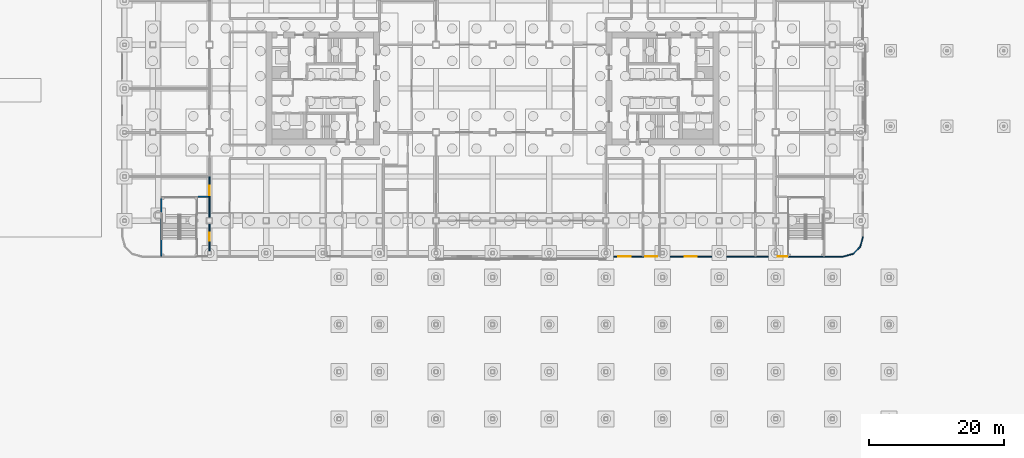
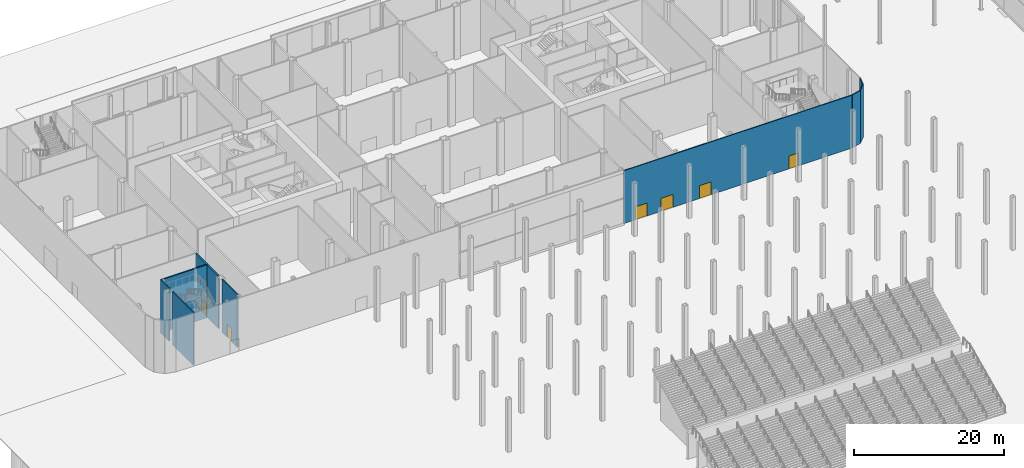
# One storey, part 36 of 113: 10 walls, 6 doors, 6 openings.
"""IFC4 building model written with IfcOpenShell, lengths in metres."""

from ifc_helpers import new_model, si_unit, direction, frame, frame_2d, origin, place, context, subcontext, project, spatial, rectangle, extrude, material, layer, layer_set, type_object, element, fill, save


model = new_model("IFC4")

# Units and contexts
model_context = context("Model", 3, precision=1e-05, world=origin(), true_north=direction((0.0, 1.0)))
body_context = subcontext(model_context, "Body", "Model", "MODEL_VIEW")
ifc_project = project(units=[si_unit("LENGTHUNIT", "METRE"), si_unit("AREAUNIT", "SQUARE_METRE"), si_unit("VOLUMEUNIT", "CUBIC_METRE"), si_unit("PLANEANGLEUNIT", "RADIAN"), si_unit("MASSUNIT", "GRAM", prefix="KILO")], contexts=[model_context])

# Site, building, storey
site_placement = place(None, origin())
site = spatial("IfcSite", under=ifc_project, at=site_placement, CompositionType="ELEMENT")
building_placement = place(site_placement, origin())
building = spatial("IfcBuilding", under=site, at=building_placement, Name="Hakoniwa Tower and Hamabe Station Hall", CompositionType="ELEMENT")
storey_placement = place(building_placement, origin())
storey = spatial("IfcBuildingStorey", under=building, at=storey_placement, Name="L01", CompositionType="ELEMENT", Elevation=0.0)

# Walls
ifc_material_1 = material(Name="Dark glass-faced aluminium panel", Category="aluminium")
ifc_layer_1 = layer(ifc_material_1, 0.14990234375)
ifc_layer_set_1 = layer_set([ifc_layer_1], Name="EXTERNAL WALL 150 EI 60")
wall_type_1 = type_object("IfcWallType", Name="EXTERNAL WALL 150 EI 60", PredefinedType="STANDARD", material=ifc_layer_set_1)
wall_1_placement = place(storey_placement, frame((54.92236328125, -21.999755859375, 0.0), z_axis=(0.0, 0.0, 1.0), x_axis=(-0.258741535379, -0.965946591624, 0.0)))
element("IfcWall", 1, at=wall_1_placement, inside=storey, type_object=wall_type_1, Name="External wall L01 1-1", PredefinedType="STANDARD", context=body_context, shape_type="SweptSolid", body=[
    extrude(rectangle(XDim=1.49267578125, YDim=0.14990234375, at=frame_2d((0.746337890625, 0.0))), origin(), (0.0, 0.0, 1.0), 8.60009765625),
])
wall_2_placement = place(storey_placement, frame((54.5166015625, -23.475341796875, 0.0), z_axis=(0.0, 0.0, 1.0), x_axis=(-0.707106781187, -0.707106781187, 0.0)))
element("IfcWall", 2, at=wall_2_placement, inside=storey, type_object=wall_type_1, Name="External wall L01 2-1", PredefinedType="STANDARD", context=body_context, shape_type="SweptSolid", body=[
    extrude(rectangle(XDim=1.47265625, YDim=0.14990234375, at=frame_2d((0.736328125, 0.0))), origin(), (0.0, 0.0, 1.0), 8.60009765625),
])
wall_3_placement = place(storey_placement, frame((53.441650390625, -24.5361328125, 0.0), z_axis=(0.0, 0.0, 1.0), x_axis=(-0.965946591624, -0.258741535379, 0.0)))
element("IfcWall", 3, at=wall_3_placement, inside=storey, type_object=wall_type_1, Name="External wall L01 3-1", PredefinedType="STANDARD", context=body_context, shape_type="SweptSolid", body=[
    extrude(rectangle(XDim=1.49267578125, YDim=0.14990234375, at=frame_2d((0.746337890625, 0.0))), origin(), (0.0, 0.0, 1.0), 8.60009765625),
])

# Wall, openings, doors
wall_4_placement = place(storey_placement, frame((51.980224609375, -24.925048828125, 0.0), z_axis=(0.0, 0.0, 1.0), x_axis=(-1.0, 0.0, 0.0)))
wall_4 = element("IfcWall", 4, at=wall_4_placement, inside=storey, type_object=wall_type_1, Name="External wall L01 4-1", PredefinedType="STANDARD", context=body_context, shape_type="SweptSolid", body=[
    extrude(rectangle(XDim=35.18017578125, YDim=0.14990234375, at=frame_2d((17.590087890625, 0.0))), origin(), (0.0, 0.0, 1.0), 8.60009765625),
])
opening_1_placement = place(wall_4_placement, frame((8.2802734375, 0.0, 0.0)))
opening_1 = element("IfcOpeningElement", 5, at=opening_1_placement, cuts=wall_4, Name="Opening ED-S-01", PredefinedType="OPENING", context=body_context, shape_type="SweptSolid", body=[
    extrude(rectangle(XDim=1.39990234375, YDim=2.10009765625, at=frame_2d((0.699951171875, 1.050048828125))), frame((0.0, 0.0849609375, 0.0), z_axis=(0.0, -1.0, 0.0), x_axis=(1.0, 0.0, 0.0)), (0.0, 0.0, 1.0), 0.169921875),
])
opening_2_placement = place(wall_4_placement, frame((27.55517578125, 0.0, 0.0)))
opening_2 = element("IfcOpeningElement", 6, at=opening_2_placement, cuts=wall_4, Name="Opening ED-S-04", PredefinedType="OPENING", context=body_context, shape_type="SweptSolid", body=[
    extrude(rectangle(XDim=1.800048828125, YDim=2.10009765625, at=frame_2d((0.89990234375, 1.050048828125))), frame((0.0, 0.0849609375, 0.0), z_axis=(0.0, -1.0, 0.0), x_axis=(1.0, 0.0, 0.0)), (0.0, 0.0, 1.0), 0.169921875),
])
opening_3_placement = place(wall_4_placement, frame((31.5302734375, 0.0, 0.0)))
opening_3 = element("IfcOpeningElement", 7, at=opening_3_placement, cuts=wall_4, Name="Opening ED-S-07", PredefinedType="OPENING", context=body_context, shape_type="SweptSolid", body=[
    extrude(rectangle(XDim=1.800048828125, YDim=2.10009765625, at=frame_2d((0.89990234375, 1.050048828125))), frame((0.0, 0.0849609375, 0.0), z_axis=(0.0, -1.0, 0.0), x_axis=(1.0, 0.0, 0.0)), (0.0, 0.0, 1.0), 0.169921875),
])
opening_4_placement = place(wall_4_placement, frame((21.68017578125, 0.0, 0.0)))
opening_4 = element("IfcOpeningElement", 8, at=opening_4_placement, cuts=wall_4, Name="Opening ED-S-08", PredefinedType="OPENING", context=body_context, shape_type="SweptSolid", body=[
    extrude(rectangle(XDim=1.800048828125, YDim=2.10009765625, at=frame_2d((0.89990234375, 1.050048828125))), frame((0.0, 0.0849609375, 0.0), z_axis=(0.0, -1.0, 0.0), x_axis=(1.0, 0.0, 0.0)), (0.0, 0.0, 1.0), 0.169921875),
])
ifc_material_2 = material(Name="Timber door leaf", Category="wood")
door_type_1 = type_object("IfcDoorType", Name="DOUBLE DOOR 1400X2100", OperationType="DOUBLE_DOOR_SINGLE_SWING", PredefinedType="DOOR", material=ifc_material_2)
door_1_placement = place(opening_1_placement, origin())
door_1 = element("IfcDoor", 9, at=door_1_placement, inside=storey, type_object=door_type_1, Name="Entrance door", OperationType="DOUBLE_DOOR_SINGLE_SWING", OverallHeight=2.10009765625, OverallWidth=1.39990234375, PredefinedType="DOOR", context=body_context, shape_type="SweptSolid", body=[
    extrude(rectangle(XDim=1.39990234375, YDim=2.10009765625, at=frame_2d((0.699951171875, 1.050048828125))), frame((0.0, 0.02490234375, 0.0), z_axis=(0.0, -1.0, 0.0), x_axis=(1.0, 0.0, 0.0)), (0.0, 0.0, 1.0), 0.050048828125),
])
fill(opening_1, door_1)
ifc_material_3 = material(Name="Timber door leaf", Category="wood")
door_type_2 = type_object("IfcDoorType", Name="DOUBLE DOOR 1800X2100", OperationType="DOUBLE_DOOR_SINGLE_SWING", PredefinedType="DOOR", material=ifc_material_3)
door_2_placement = place(opening_2_placement, origin())
door_2 = element("IfcDoor", 10, at=door_2_placement, inside=storey, type_object=door_type_2, Name="Entrance door", OperationType="DOUBLE_DOOR_SINGLE_SWING", OverallHeight=2.10009765625, OverallWidth=1.800048828125, PredefinedType="DOOR", context=body_context, shape_type="SweptSolid", body=[
    extrude(rectangle(XDim=1.800048828125, YDim=2.10009765625, at=frame_2d((0.89990234375, 1.050048828125))), frame((0.0, 0.02490234375, 0.0), z_axis=(0.0, -1.0, 0.0), x_axis=(1.0, 0.0, 0.0)), (0.0, 0.0, 1.0), 0.050048828125),
])
fill(opening_2, door_2)
ifc_material_4 = material(Name="Glazed aluminium door", Category="aluminium")
door_type_3 = type_object("IfcDoorType", Name="DOUBLE GLAZED DOOR 1800X2100", OperationType="DOUBLE_DOOR_DOUBLE_SWING", PredefinedType="DOOR", material=ifc_material_4)
door_3_placement = place(opening_3_placement, origin())
door_3 = element("IfcDoor", 11, at=door_3_placement, inside=storey, type_object=door_type_3, Name="Entrance door", OperationType="DOUBLE_DOOR_DOUBLE_SWING", OverallHeight=2.10009765625, OverallWidth=1.800048828125, PredefinedType="DOOR", context=body_context, shape_type="SweptSolid", body=[
    extrude(rectangle(XDim=1.800048828125, YDim=2.10009765625, at=frame_2d((0.89990234375, 1.050048828125))), frame((0.0, 0.02490234375, 0.0), z_axis=(0.0, -1.0, 0.0), x_axis=(1.0, 0.0, 0.0)), (0.0, 0.0, 1.0), 0.050048828125),
])
fill(opening_3, door_3)
door_4_placement = place(opening_4_placement, origin())
door_4 = element("IfcDoor", 12, at=door_4_placement, inside=storey, type_object=door_type_3, Name="Entrance door", OperationType="DOUBLE_DOOR_DOUBLE_SWING", OverallHeight=2.10009765625, OverallWidth=1.800048828125, PredefinedType="DOOR", context=body_context, shape_type="SweptSolid", body=[
    extrude(rectangle(XDim=1.800048828125, YDim=2.10009765625, at=frame_2d((0.89990234375, 1.050048828125))), frame((0.0, 0.02490234375, 0.0), z_axis=(0.0, -1.0, 0.0), x_axis=(1.0, 0.0, 0.0)), (0.0, 0.0, 1.0), 0.050048828125),
])
fill(opening_4, door_4)

# Wall, opening, door
ifc_material_5 = material(Name="Fire-rated gypsum board partition")
ifc_layer_2 = layer(ifc_material_5, 0.199951171875)
ifc_layer_set_2 = layer_set([ifc_layer_2], Name="FIRE PARTITION 200 EI 60")
wall_type_2 = type_object("IfcWallType", Name="FIRE PARTITION 200 EI 60", PredefinedType="PARTITIONING", material=ifc_layer_set_2)
wall_5_placement = place(storey_placement, frame((-42.0, -16.050048828125, 0.0), z_axis=(0.0, 0.0, 1.0), x_axis=(0.0, 1.0, 0.0)))
wall_5 = element("IfcWall", 13, at=wall_5_placement, inside=storey, type_object=wall_type_2, Name="Wall West Service Corridor / Laundry and Linen Room", PredefinedType="PARTITIONING", context=body_context, shape_type="SweptSolid", body=[
    extrude(rectangle(XDim=3.0, YDim=0.199951171875, at=frame_2d((1.5, 0.0))), origin(), (0.0, 0.0, 1.0), 8.60009765625),
])
opening_5_placement = place(wall_5_placement, frame((0.199951171875, 0.0, 0.0)))
opening_5 = element("IfcOpeningElement", 14, at=opening_5_placement, cuts=wall_5, Name="Opening PD-L01-030", PredefinedType="OPENING", context=body_context, shape_type="SweptSolid", body=[
    extrude(rectangle(XDim=1.39990234375, YDim=2.10009765625, at=frame_2d((0.699951171875, 1.050048828125))), frame((0.0, 0.10986328125, 0.0), z_axis=(0.0, -1.0, 0.0), x_axis=(1.0, 0.0, 0.0)), (0.0, 0.0, 1.0), 0.219970703125),
])
ifc_material_6 = material(Name="Steel fire door", Category="steel")
door_type_4 = type_object("IfcDoorType", Name="FIRE DOOR 1400X2100 FD60", OperationType="SINGLE_SWING_LEFT", PredefinedType="DOOR", material=ifc_material_6)
door_5_placement = place(opening_5_placement, origin())
door_5 = element("IfcDoor", 15, at=door_5_placement, inside=storey, type_object=door_type_4, Name="Door PD-L01-030", OperationType="SINGLE_SWING_RIGHT", OverallHeight=2.10009765625, OverallWidth=1.39990234375, PredefinedType="DOOR", context=body_context, shape_type="SweptSolid", body=[
    extrude(rectangle(XDim=1.39990234375, YDim=2.10009765625, at=frame_2d((0.699951171875, 1.050048828125))), frame((0.0, 0.02490234375, 0.0), z_axis=(0.0, -1.0, 0.0), x_axis=(1.0, 0.0, 0.0)), (0.0, 0.0, 1.0), 0.050048828125),
])
fill(opening_5, door_5)

# Walls
ifc_material_7 = material(Name="Concrete C40", Category="concrete")
ifc_layer_3 = layer(ifc_material_7, 0.199951171875)
ifc_layer_set_3 = layer_set([ifc_layer_3], Name="RC WALL 200 EI 60 C40")
wall_type_3 = type_object("IfcWallType", Name="RC WALL 200 EI 60 C40", PredefinedType="SHEAR", material=ifc_layer_set_3)
wall_6_placement = place(storey_placement, frame((-49.14990234375, -24.85009765625, 0.0), z_axis=(0.0, 0.0, 1.0), x_axis=(0.0, 1.0, 0.0)))
element("IfcWall", 16, at=wall_6_placement, inside=storey, type_object=wall_type_3, Name="Wall Escape Stair PS4 / Laundry and Linen Room", PredefinedType="SHEAR", context=body_context, shape_type="SweptSolid", body=[
    extrude(rectangle(XDim=5.596923828125, YDim=0.199951171875, at=frame_2d((2.79833984375, 0.0))), origin(), (0.0, 0.0, 1.0), 8.60009765625),
])
wall_7_placement = place(storey_placement, frame((-49.14990234375, -18.35302734375, 0.0), z_axis=(0.0, 0.0, 1.0), x_axis=(0.0, 1.0, 0.0)))
element("IfcWall", 17, at=wall_7_placement, inside=storey, type_object=wall_type_3, Name="Wall Escape Stair PS4 / Laundry and Linen Room", PredefinedType="SHEAR", context=body_context, shape_type="SweptSolid", body=[
    extrude(rectangle(XDim=2.203125, YDim=0.199951171875, at=frame_2d((1.1015625, 0.0))), origin(), (0.0, 0.0, 1.0), 8.60009765625),
])
wall_8_placement = place(storey_placement, frame((-49.14990234375, -16.050048828125, 0.0), z_axis=(0.0, 0.0, 1.0), x_axis=(1.0, 0.0, 0.0)))
element("IfcWall", 18, at=wall_8_placement, inside=storey, type_object=wall_type_3, Name="Wall Escape Stair PS4 / Laundry and Linen Room", PredefinedType="SHEAR", context=body_context, shape_type="SweptSolid", body=[
    extrude(rectangle(XDim=7.0498046875, YDim=0.199951171875, at=frame_2d((3.52490234375, 0.0))), origin(), (0.0, 0.0, 1.0), 8.60009765625),
])
wall_9_placement = place(storey_placement, frame((-42.0, -16.050048828125, 0.0), z_axis=(0.0, 0.0, 1.0), x_axis=(0.0, -1.0, 0.0)))
element("IfcWall", 19, at=wall_9_placement, inside=storey, type_object=wall_type_3, Name="Wall Escape Stair PS4 / West Service Corridor", PredefinedType="SHEAR", context=body_context, shape_type="SweptSolid", body=[
    extrude(rectangle(XDim=3.099853515625, YDim=0.199951171875, at=frame_2d((1.5498046875, 0.0))), origin(), (0.0, 0.0, 1.0), 8.60009765625),
])

# Wall, opening, door
wall_10_placement = place(storey_placement, frame((-42.0, -20.050048828125, 0.0), z_axis=(0.0, 0.0, 1.0), x_axis=(0.0, -1.0, 0.0)))
wall_10 = element("IfcWall", 20, at=wall_10_placement, inside=storey, type_object=wall_type_3, Name="Wall Escape Stair PS4 / West Service Corridor", PredefinedType="SHEAR", context=body_context, shape_type="SweptSolid", body=[
    extrude(rectangle(XDim=4.099853515625, YDim=0.199951171875, at=frame_2d((2.0498046875, 0.0))), origin(), (0.0, 0.0, 1.0), 8.60009765625),
])
opening_6_placement = place(wall_10_placement, frame((1.35009765625, 0.0, 0.0)))
opening_6 = element("IfcOpeningElement", 21, at=opening_6_placement, cuts=wall_10, Name="Opening PD-L01-037", PredefinedType="OPENING", context=body_context, shape_type="SweptSolid", body=[
    extrude(rectangle(XDim=1.199951171875, YDim=2.10009765625, at=frame_2d((0.60009765625, 1.050048828125))), frame((0.0, 0.10986328125, 0.0), z_axis=(0.0, -1.0, 0.0), x_axis=(1.0, 0.0, 0.0)), (0.0, 0.0, 1.0), 0.219970703125),
])
ifc_material_8 = material(Name="Steel fire door", Category="steel")
door_type_5 = type_object("IfcDoorType", Name="FIRE DOOR 1200X2100 FD60", OperationType="SINGLE_SWING_LEFT", PredefinedType="DOOR", material=ifc_material_8)
door_6_placement = place(opening_6_placement, origin())
door_6 = element("IfcDoor", 22, at=door_6_placement, inside=storey, type_object=door_type_5, Name="Escape stair door PS4", OperationType="SINGLE_SWING_LEFT", OverallHeight=2.10009765625, OverallWidth=1.199951171875, PredefinedType="DOOR", context=body_context, shape_type="SweptSolid", body=[
    extrude(rectangle(XDim=1.199951171875, YDim=2.10009765625, at=frame_2d((0.60009765625, 1.050048828125))), frame((0.0, 0.02490234375, 0.0), z_axis=(0.0, -1.0, 0.0), x_axis=(1.0, 0.0, 0.0)), (0.0, 0.0, 1.0), 0.050048828125),
])
fill(opening_6, door_6)

save(model, "model.ifc")
